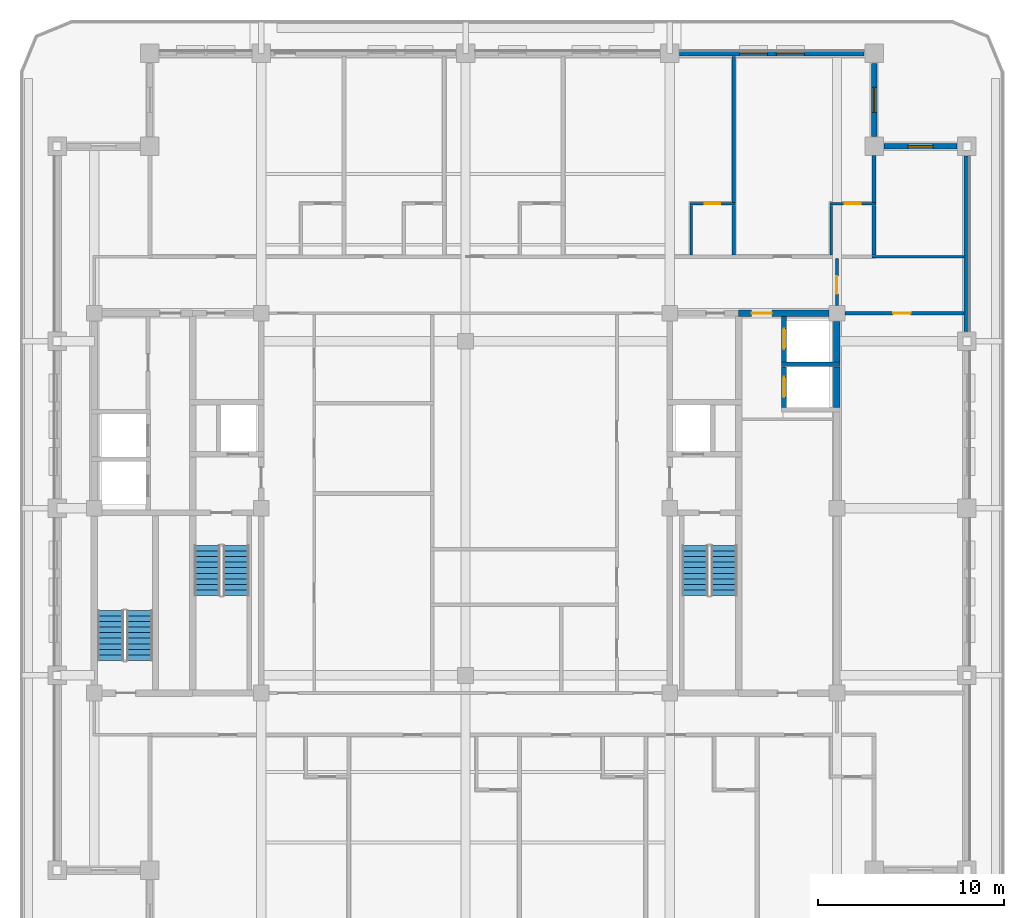
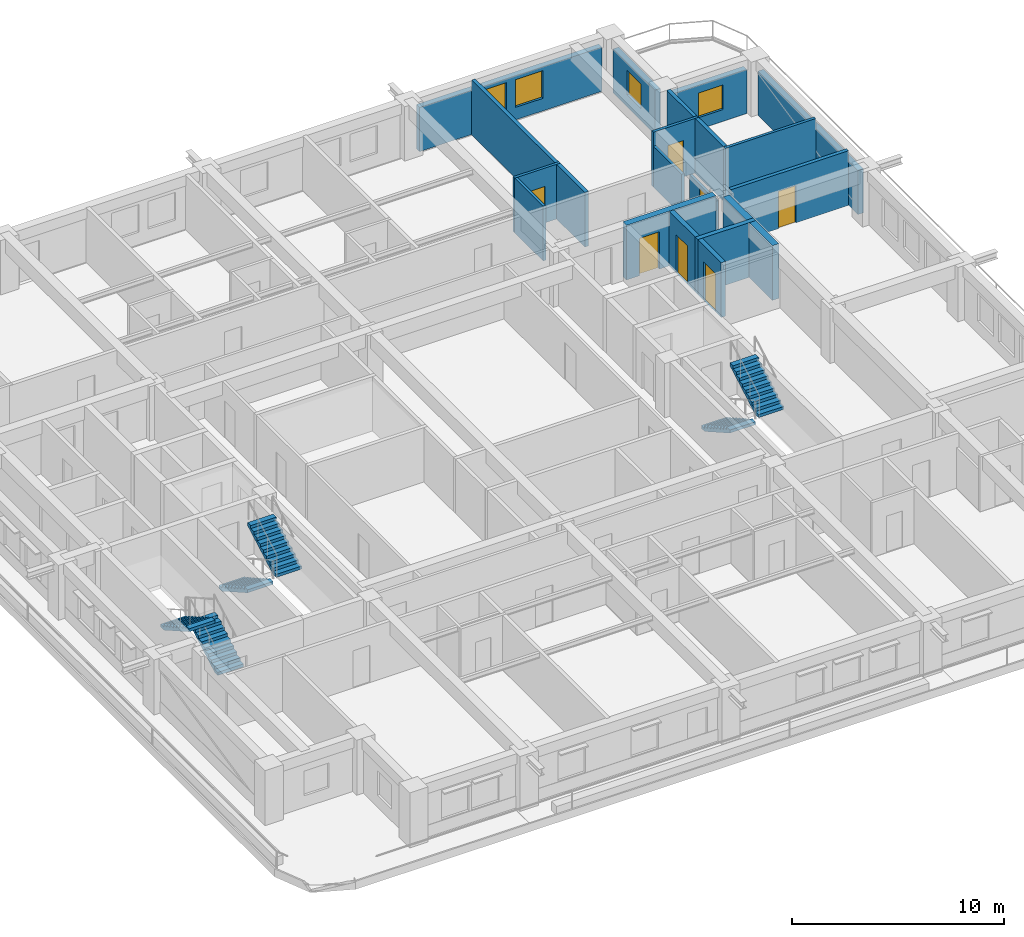
# One storey, part 7 of 14: 21 walls, 7 doors, 6 stair flights, 4 windows, 11 openings, 3 elements without a shape of their own.
"""IFC4 building model written with IfcOpenShell, lengths in metres."""

from ifc_helpers import new_model, si_unit, direction, frame, frame_2d, origin, place, context, subcontext, project, spatial, polyline, rectangle, outline, extrude, material, layer, layer_set, type_object, element, fill, aggregate, save


model = new_model("IFC4")

# Units and contexts
model_context = context("Model", 3, precision=1e-05, world=origin(), true_north=direction((0.0, 1.0)))
body_context = subcontext(model_context, "Body", "Model", "MODEL_VIEW")
ifc_project = project(units=[si_unit("LENGTHUNIT", "METRE"), si_unit("AREAUNIT", "SQUARE_METRE"), si_unit("VOLUMEUNIT", "CUBIC_METRE"), si_unit("PLANEANGLEUNIT", "RADIAN"), si_unit("MASSUNIT", "GRAM", prefix="KILO")], contexts=[model_context])

# Site, building, storey
site_placement = place(None, origin())
site = spatial("IfcSite", under=ifc_project, at=site_placement, CompositionType="ELEMENT")
building_placement = place(site_placement, origin())
building = spatial("IfcBuilding", under=site, at=building_placement, Name="Zulmaris Gate Convention Tower", CompositionType="ELEMENT")
storey_placement = place(building_placement, frame((0.0, 0.0, 179.659912109375)))
storey = spatial("IfcBuildingStorey", under=building, at=storey_placement, Name="L46", CompositionType="ELEMENT", Elevation=179.659912109375)

# Wall
ifc_material_1 = material(Name="Concrete C50/60", Category="concrete")
ifc_layer_1 = layer(ifc_material_1, 0.25, Name="Concrete C50/60")
ifc_layer_set_1 = layer_set([ifc_layer_1], Name="Concrete C50/60")
wall_type_1 = type_object("IfcWallType", Name="CORE-250", PredefinedType="SOLIDWALL", material=ifc_layer_set_1)
wall_1_placement = place(storey_placement, frame((17.02490234375, 7.75, 0.0), z_axis=(0.0, 0.0, 1.0), x_axis=(1.0, 0.0, 0.0)))
element("IfcWall", 1, at=wall_1_placement, inside=storey, type_object=wall_type_1, Name="WL-L46-014", PredefinedType="SOLIDWALL", context=body_context, shape_type="SweptSolid", body=[
    extrude(rectangle(XDim=3.150146484375, YDim=0.25, at=frame_2d((1.5751953125, 0.0))), origin(), (0.0, 0.0, 1.0), 3.14990234375),
])

# Wall, opening, door
wall_2_placement = place(storey_placement, frame((17.14990234375, 5.427001953125, 0.0), z_axis=(0.0, 0.0, 1.0), x_axis=(0.0, 1.0, 0.0)))
wall_2 = element("IfcWall", 2, at=wall_2_placement, inside=storey, type_object=wall_type_1, Name="WL-L46-070", PredefinedType="SOLIDWALL", context=body_context, shape_type="SweptSolid", body=[
    extrude(rectangle(XDim=2.196044921875, YDim=0.25, at=frame_2d((1.09814453125, 0.0))), origin(), (0.0, 0.0, 1.0), 3.14990234375),
])
opening_1_placement = place(wall_2_placement, frame((0.548095703125, 0.0, 0.0)))
opening_1 = element("IfcOpeningElement", 3, at=opening_1_placement, cuts=wall_2, Name="Opening D-06", PredefinedType="OPENING", context=body_context, shape_type="SweptSolid", body=[
    extrude(rectangle(XDim=1.10009765625, YDim=2.199951171875, at=frame_2d((0.550048828125, 1.10009765625))), frame((0.0, 0.135009765625, 0.0), z_axis=(0.0, -1.0, 0.0), x_axis=(1.0, 0.0, 0.0)), (0.0, 0.0, 1.0), 0.27001953125),
])
ifc_material_2 = material(Name="Brushed Stainless Steel", Category="steel")
door_type_1 = type_object("IfcDoorType", Name="LD-1100", OperationType="NOTDEFINED", PredefinedType="DOOR", material=ifc_material_2)
door_1_placement = place(opening_1_placement, origin())
door_1 = element("IfcDoor", 4, at=door_1_placement, inside=storey, type_object=door_type_1, Name="L46 Lift Landing Door HP-01 14", OperationType="SLIDING_TO_RIGHT", OverallHeight=2.199951171875, OverallWidth=1.10009765625, PredefinedType="DOOR", context=body_context, shape_type="SweptSolid", body=[
    extrude(rectangle(XDim=1.10009765625, YDim=2.199951171875, at=frame_2d((0.550048828125, 1.10009765625))), frame((0.0, 0.02490234375, 0.0), z_axis=(0.0, -1.0, 0.0), x_axis=(1.0, 0.0, 0.0)), (0.0, 0.0, 1.0), 0.050048828125),
])
fill(opening_1, door_1)

wall_3_placement = place(storey_placement, frame((17.14990234375, 7.876953125, 0.0), z_axis=(0.0, 0.0, 1.0), x_axis=(0.0, 1.0, 0.0)))
wall_3 = element("IfcWall", 5, at=wall_3_placement, inside=storey, type_object=wall_type_1, Name="WL-L46-071", PredefinedType="SOLIDWALL", context=body_context, shape_type="SweptSolid", body=[
    extrude(rectangle(XDim=2.446044921875, YDim=0.25, at=frame_2d((1.22314453125, 0.0))), origin(), (0.0, 0.0, 1.0), 3.14990234375),
])
opening_2_placement = place(wall_3_placement, frame((0.697998046875, 0.0, 0.0)))
opening_2 = element("IfcOpeningElement", 6, at=opening_2_placement, cuts=wall_3, Name="Opening D-06", PredefinedType="OPENING", context=body_context, shape_type="SweptSolid", body=[
    extrude(rectangle(XDim=1.10009765625, YDim=2.199951171875, at=frame_2d((0.550048828125, 1.10009765625))), frame((0.0, 0.135009765625, 0.0), z_axis=(0.0, -1.0, 0.0), x_axis=(1.0, 0.0, 0.0)), (0.0, 0.0, 1.0), 0.27001953125),
])
door_2_placement = place(opening_2_placement, origin())
door_2 = element("IfcDoor", 7, at=door_2_placement, inside=storey, type_object=door_type_1, Name="L46 Lift Landing Door HP-02 15", OperationType="SLIDING_TO_RIGHT", OverallHeight=2.199951171875, OverallWidth=1.10009765625, PredefinedType="DOOR", context=body_context, shape_type="SweptSolid", body=[
    extrude(rectangle(XDim=1.10009765625, YDim=2.199951171875, at=frame_2d((0.550048828125, 1.10009765625))), frame((0.0, 0.02490234375, 0.0), z_axis=(0.0, -1.0, 0.0), x_axis=(1.0, 0.0, 0.0)), (0.0, 0.0, 1.0), 0.050048828125),
])
fill(opening_2, door_2)

ifc_material_3 = material(Name="Concrete C55/67", Category="concrete")
ifc_layer_2 = layer(ifc_material_3, 0.35009765625, Name="Concrete C55/67")
ifc_layer_set_2 = layer_set([ifc_layer_2], Name="Concrete C55/67")
wall_type_2 = type_object("IfcWallType", Name="CORE-350", PredefinedType="SHEAR", material=ifc_layer_set_2)
wall_4_placement = place(storey_placement, frame((14.699951171875, 10.5, 0.0), z_axis=(0.0, 0.0, 1.0), x_axis=(1.0, 0.0, 0.0)))
wall_4 = element("IfcWall", 8, at=wall_4_placement, inside=storey, type_object=wall_type_2, Name="WL-L46-018", PredefinedType="SHEAR", context=body_context, shape_type="SweptSolid", body=[
    extrude(rectangle(XDim=4.87109375, YDim=0.35009765625, at=frame_2d((2.435546875, 0.0))), origin(), (0.0, 0.0, 1.0), 3.14990234375),
])
opening_3_placement = place(wall_4_placement, frame((0.699951171875, 0.0, 0.0)))
opening_3 = element("IfcOpeningElement", 9, at=opening_3_placement, cuts=wall_4, Name="Opening D-08", PredefinedType="OPENING", context=body_context, shape_type="SweptSolid", body=[
    extrude(rectangle(XDim=1.10009765625, YDim=2.14990234375, at=frame_2d((0.550048828125, 1.074951171875))), frame((0.0, 0.18505859375, 0.0), z_axis=(0.0, -1.0, 0.0), x_axis=(1.0, 0.0, 0.0)), (0.0, 0.0, 1.0), 0.3701171875),
])
ifc_material_4 = material(Name="Fire-Rated Steel", Category="steel")
door_type_2 = type_object("IfcDoorType", Name="DR-1100-FD", OperationType="NOTDEFINED", PredefinedType="DOOR", material=ifc_material_4)
door_3_placement = place(opening_3_placement, origin())
door_3 = element("IfcDoor", 10, at=door_3_placement, inside=storey, type_object=door_type_2, Name="L46 High-Rise East Lift Lobby Door 16", OperationType="SINGLE_SWING_LEFT", OverallHeight=2.14990234375, OverallWidth=1.10009765625, PredefinedType="DOOR", context=body_context, shape_type="SweptSolid", body=[
    extrude(rectangle(XDim=1.10009765625, YDim=2.14990234375, at=frame_2d((0.550048828125, 1.074951171875))), frame((0.0, 0.02490234375, 0.0), z_axis=(0.0, -1.0, 0.0), x_axis=(1.0, 0.0, 0.0)), (0.0, 0.0, 1.0), 0.050048828125),
])
fill(opening_3, door_3)

# Walls
wall_5_placement = place(storey_placement, frame((20.0, 5.427001953125, 0.0), z_axis=(0.0, 0.0, 1.0), x_axis=(0.0, 1.0, 0.0)))
element("IfcWall", 11, at=wall_5_placement, inside=storey, type_object=wall_type_2, Name="WL-L46-073", PredefinedType="SHEAR", context=body_context, shape_type="SweptSolid", body=[
    extrude(rectangle(XDim=2.196044921875, YDim=0.35009765625, at=frame_2d((1.09814453125, 0.0))), origin(), (0.0, 0.0, 1.0), 3.14990234375),
])
wall_6_placement = place(storey_placement, frame((20.0, 7.876953125, 0.0), z_axis=(0.0, 0.0, 1.0), x_axis=(0.0, 1.0, 0.0)))
element("IfcWall", 12, at=wall_6_placement, inside=storey, type_object=wall_type_2, Name="WL-L46-074", PredefinedType="SHEAR", context=body_context, shape_type="SweptSolid", body=[
    extrude(rectangle(XDim=2.194091796875, YDim=0.35009765625, at=frame_2d((1.09716796875, 0.0))), origin(), (0.0, 0.0, 1.0), 3.14990234375),
])
ifc_material_5 = material(Name="Gypsum Metal Stud Partition")
ifc_layer_3 = layer(ifc_material_5, 0.14990234375, Name="Gypsum Metal Stud Partition")
ifc_layer_set_3 = layer_set([ifc_layer_3], Name="Gypsum Metal Stud Partition")
wall_type_3 = type_object("IfcWallType", Name="PART-150", PredefinedType="PARTITIONING", material=ifc_layer_set_3)
wall_7_placement = place(storey_placement, frame((21.89990234375, 13.550048828125, 0.0), z_axis=(0.0, 0.0, 1.0), x_axis=(1.0, 0.0, 0.0)))
element("IfcWall", 13, at=wall_7_placement, inside=storey, type_object=wall_type_3, Name="WL-L46-037", PredefinedType="PARTITIONING", context=body_context, shape_type="SweptSolid", body=[
    extrude(rectangle(XDim=4.93505859375, YDim=0.14990234375, at=frame_2d((2.467529296875, 0.0))), origin(), (0.0, 0.0, 1.0), 3.14990234375),
])

# Wall, opening, door
wall_8_placement = place(storey_placement, frame((12.074951171875, 16.39990234375, 0.0), z_axis=(0.0, 0.0, 1.0), x_axis=(1.0, 0.0, 0.0)))
wall_8 = element("IfcWall", 14, at=wall_8_placement, inside=storey, type_object=wall_type_3, Name="WL-L46-041", PredefinedType="PARTITIONING", context=body_context, shape_type="SweptSolid", body=[
    extrude(rectangle(XDim=2.47509765625, YDim=0.14990234375, at=frame_2d((1.237548828125, 0.0))), origin(), (0.0, 0.0, 1.0), 3.14990234375),
])
opening_4_placement = place(wall_8_placement, frame((0.800048828125, 0.0, 0.0)))
opening_4 = element("IfcOpeningElement", 15, at=opening_4_placement, cuts=wall_8, Name="Opening D-17", PredefinedType="OPENING", context=body_context, shape_type="SweptSolid", body=[
    extrude(rectangle(XDim=0.85009765625, YDim=2.10009765625, at=frame_2d((0.425048828125, 1.050048828125))), frame((0.0, 0.0849609375, 0.0), z_axis=(0.0, -1.0, 0.0), x_axis=(1.0, 0.0, 0.0)), (0.0, 0.0, 1.0), 0.169921875),
])
ifc_material_6 = material(Name="Moisture-Resistant Hardwood Timber", Category="wood")
door_type_3 = type_object("IfcDoorType", Name="DR-850", OperationType="NOTDEFINED", PredefinedType="DOOR", material=ifc_material_6)
door_4_placement = place(opening_4_placement, origin())
door_4 = element("IfcDoor", 16, at=door_4_placement, inside=storey, type_object=door_type_3, Name="L46 En-Suite Door 29", OperationType="SINGLE_SWING_RIGHT", OverallHeight=2.10009765625, OverallWidth=0.85009765625, PredefinedType="DOOR", context=body_context, shape_type="SweptSolid", body=[
    extrude(rectangle(XDim=0.85009765625, YDim=2.10009765625, at=frame_2d((0.425048828125, 1.050048828125))), frame((0.0, 0.02490234375, 0.0), z_axis=(0.0, -1.0, 0.0), x_axis=(1.0, 0.0, 0.0)), (0.0, 0.0, 1.0), 0.050048828125),
])
fill(opening_4, door_4)

wall_9_placement = place(storey_placement, frame((19.625, 16.39990234375, 0.0), z_axis=(0.0, 0.0, 1.0), x_axis=(1.0, 0.0, 0.0)))
wall_9 = element("IfcWall", 17, at=wall_9_placement, inside=storey, type_object=wall_type_3, Name="WL-L46-042", PredefinedType="PARTITIONING", context=body_context, shape_type="SweptSolid", body=[
    extrude(rectangle(XDim=2.47509765625, YDim=0.14990234375, at=frame_2d((1.237548828125, 0.0))), origin(), (0.0, 0.0, 1.0), 3.14990234375),
])
opening_5_placement = place(wall_9_placement, frame((0.800048828125, 0.0, 0.0)))
opening_5 = element("IfcOpeningElement", 18, at=opening_5_placement, cuts=wall_9, Name="Opening D-17", PredefinedType="OPENING", context=body_context, shape_type="SweptSolid", body=[
    extrude(rectangle(XDim=0.85009765625, YDim=2.10009765625, at=frame_2d((0.425048828125, 1.050048828125))), frame((0.0, 0.0849609375, 0.0), z_axis=(0.0, -1.0, 0.0), x_axis=(1.0, 0.0, 0.0)), (0.0, 0.0, 1.0), 0.169921875),
])
door_5_placement = place(opening_5_placement, origin())
door_5 = element("IfcDoor", 19, at=door_5_placement, inside=storey, type_object=door_type_3, Name="L46 En-Suite Door 31", OperationType="SINGLE_SWING_RIGHT", OverallHeight=2.10009765625, OverallWidth=0.85009765625, PredefinedType="DOOR", context=body_context, shape_type="SweptSolid", body=[
    extrude(rectangle(XDim=0.85009765625, YDim=2.10009765625, at=frame_2d((0.425048828125, 1.050048828125))), frame((0.0, 0.02490234375, 0.0), z_axis=(0.0, -1.0, 0.0), x_axis=(1.0, 0.0, 0.0)), (0.0, 0.0, 1.0), 0.050048828125),
])
fill(opening_5, door_5)

# Walls
wall_10_placement = place(storey_placement, frame((12.14990234375, 13.653076171875, 0.0), z_axis=(0.0, 0.0, 1.0), x_axis=(0.0, 1.0, 0.0)))
element("IfcWall", 20, at=wall_10_placement, inside=storey, type_object=wall_type_3, Name="WL-L46-110", PredefinedType="PARTITIONING", context=body_context, shape_type="SweptSolid", body=[
    extrude(rectangle(XDim=2.6689453125, YDim=0.14990234375, at=frame_2d((1.33447265625, 0.0))), origin(), (0.0, 0.0, 1.0), 3.14990234375),
])
wall_11_placement = place(storey_placement, frame((19.699951171875, 13.653076171875, 0.0), z_axis=(0.0, 0.0, 1.0), x_axis=(0.0, 1.0, 0.0)))
element("IfcWall", 21, at=wall_11_placement, inside=storey, type_object=wall_type_3, Name="WL-L46-117", PredefinedType="PARTITIONING", context=body_context, shape_type="SweptSolid", body=[
    extrude(rectangle(XDim=2.6689453125, YDim=0.14990234375, at=frame_2d((1.33447265625, 0.0))), origin(), (0.0, 0.0, 1.0), 2.341796875),
])

# Wall, opening, door
wall_12_placement = place(storey_placement, frame((20.0, 10.930908203125, 0.0), z_axis=(0.0, 0.0, 1.0), x_axis=(0.0, 1.0, 0.0)))
wall_12 = element("IfcWall", 22, at=wall_12_placement, inside=storey, type_object=wall_type_3, Name="WL-L46-119", PredefinedType="PARTITIONING", context=body_context, shape_type="SweptSolid", body=[
    extrude(rectangle(XDim=2.51611328125, YDim=0.14990234375, at=frame_2d((1.258056640625, 0.0))), origin(), (0.0, 0.0, 1.0), 2.341796875),
])
opening_6_placement = place(wall_12_placement, frame((0.6240234375, 0.0, 0.0)))
opening_6 = element("IfcOpeningElement", 23, at=opening_6_placement, cuts=wall_12, Name="Opening D-11", PredefinedType="OPENING", context=body_context, shape_type="SweptSolid", body=[
    extrude(rectangle(XDim=0.949951171875, YDim=2.14990234375, at=frame_2d((0.47509765625, 1.074951171875))), frame((0.0, 0.0849609375, 0.0), z_axis=(0.0, -1.0, 0.0), x_axis=(1.0, 0.0, 0.0)), (0.0, 0.0, 1.0), 0.169921875),
])
ifc_material_7 = material(Name="Fire-Rated Timber", Category="wood")
door_type_4 = type_object("IfcDoorType", Name="DR-950-FD", OperationType="NOTDEFINED", PredefinedType="DOOR", material=ifc_material_7)
door_6_placement = place(opening_6_placement, origin())
door_6 = element("IfcDoor", 24, at=door_6_placement, inside=storey, type_object=door_type_4, Name="L46 East Spur Door 49", OperationType="SINGLE_SWING_RIGHT", OverallHeight=2.14990234375, OverallWidth=0.949951171875, PredefinedType="DOOR", context=body_context, shape_type="SweptSolid", body=[
    extrude(rectangle(XDim=0.949951171875, YDim=2.14990234375, at=frame_2d((0.47509765625, 1.074951171875))), frame((0.0, 0.02490234375, 0.0), z_axis=(0.0, -1.0, 0.0), x_axis=(1.0, 0.0, 0.0)), (0.0, 0.0, 1.0), 0.050048828125),
])
fill(opening_6, door_6)

ifc_material_8 = material(Name="Autoclaved Aerated Concrete Block and Plasterboard", Category="concrete")
ifc_layer_4 = layer(ifc_material_8, 0.199951171875, Name="Autoclaved Aerated Concrete Block and Plasterboard")
ifc_layer_set_4 = layer_set([ifc_layer_4], Name="Autoclaved Aerated Concrete Block and Plasterboard")
wall_type_4 = type_object("IfcWallType", Name="PART-200", PredefinedType="PARTITIONING", material=ifc_layer_set_4)
wall_13_placement = place(storey_placement, frame((20.430908203125, 10.5, 0.0), z_axis=(0.0, 0.0, 1.0), x_axis=(1.0, 0.0, 0.0)))
wall_13 = element("IfcWall", 25, at=wall_13_placement, inside=storey, type_object=wall_type_4, Name="WL-L46-034", PredefinedType="PARTITIONING", context=body_context, shape_type="SweptSolid", body=[
    extrude(rectangle(XDim=6.404052734375, YDim=0.199951171875, at=frame_2d((3.2021484375, 0.0))), origin(), (0.0, 0.0, 1.0), 3.14990234375),
])
opening_7_placement = place(wall_13_placement, frame((2.593994140625, 0.0, 0.0)))
opening_7 = element("IfcOpeningElement", 26, at=opening_7_placement, cuts=wall_13, Name="Opening D-11", PredefinedType="OPENING", context=body_context, shape_type="SweptSolid", body=[
    extrude(rectangle(XDim=0.949951171875, YDim=2.14990234375, at=frame_2d((0.47509765625, 1.074951171875))), frame((0.0, 0.10986328125, 0.0), z_axis=(0.0, -1.0, 0.0), x_axis=(1.0, 0.0, 0.0)), (0.0, 0.0, 1.0), 0.219970703125),
])
door_7_placement = place(opening_7_placement, origin())
door_7 = element("IfcDoor", 27, at=door_7_placement, inside=storey, type_object=door_type_4, Name="L46 East Lounge Door 50", OperationType="SINGLE_SWING_LEFT", OverallHeight=2.14990234375, OverallWidth=0.949951171875, PredefinedType="DOOR", context=body_context, shape_type="SweptSolid", body=[
    extrude(rectangle(XDim=0.949951171875, YDim=2.14990234375, at=frame_2d((0.47509765625, 1.074951171875))), frame((0.0, 0.02490234375, 0.0), z_axis=(0.0, -1.0, 0.0), x_axis=(1.0, 0.0, 0.0)), (0.0, 0.0, 1.0), 0.050048828125),
])
fill(opening_7, door_7)

# Walls
wall_14_placement = place(storey_placement, frame((14.449951171875, 13.653076171875, 0.0), z_axis=(0.0, 0.0, 1.0), x_axis=(0.0, 1.0, 0.0)))
element("IfcWall", 28, at=wall_14_placement, inside=storey, type_object=wall_type_4, Name="WL-L46-112", PredefinedType="PARTITIONING", context=body_context, shape_type="SweptSolid", body=[
    extrude(rectangle(XDim=2.6689453125, YDim=0.199951171875, at=frame_2d((1.33447265625, 0.0))), origin(), (0.0, 0.0, 1.0), 3.14990234375),
])
wall_15_placement = place(storey_placement, frame((14.449951171875, 16.47802734375, 0.0), z_axis=(0.0, 0.0, 1.0), x_axis=(0.0, 1.0, 0.0)))
element("IfcWall", 29, at=wall_15_placement, inside=storey, type_object=wall_type_4, Name="WL-L46-113", PredefinedType="PARTITIONING", context=body_context, shape_type="SweptSolid", body=[
    extrude(rectangle(XDim=7.85693359375, YDim=0.199951171875, at=frame_2d((3.928466796875, 0.0))), origin(), (0.0, 0.0, 1.0), 3.14990234375),
])
wall_16_placement = place(storey_placement, frame((22.0, 13.653076171875, 0.0), z_axis=(0.0, 0.0, 1.0), x_axis=(0.0, 1.0, 0.0)))
element("IfcWall", 30, at=wall_16_placement, inside=storey, type_object=wall_type_4, Name="WL-L46-122", PredefinedType="PARTITIONING", context=body_context, shape_type="SweptSolid", body=[
    extrude(rectangle(XDim=2.6689453125, YDim=0.199951171875, at=frame_2d((1.33447265625, 0.0))), origin(), (0.0, 0.0, 1.0), 3.14990234375),
])
wall_17_placement = place(storey_placement, frame((22.0, 16.47802734375, 0.0), z_axis=(0.0, 0.0, 1.0), x_axis=(0.0, 1.0, 0.0)))
element("IfcWall", 31, at=wall_17_placement, inside=storey, type_object=wall_type_4, Name="WL-L46-123", PredefinedType="PARTITIONING", context=body_context, shape_type="SweptSolid", body=[
    extrude(rectangle(XDim=2.515869140625, YDim=0.199951171875, at=frame_2d((1.2578125, 0.0))), origin(), (0.0, 0.0, 1.0), 3.14990234375),
])

# Wall, opening, window
ifc_material_9 = material(Name="Precast concrete C40/50", Category="concrete")
ifc_layer_5 = layer(ifc_material_9, 0.300048828125, Name="Precast concrete C40/50")
ifc_layer_set_5 = layer_set([ifc_layer_5], Name="Precast concrete C40/50")
wall_type_5 = type_object("IfcWallType", Name="PRECAST-PIER-300", PredefinedType="STANDARD", material=ifc_layer_set_5)
wall_18_placement = place(storey_placement, frame((26.469970703125, 19.5, 0.0), z_axis=(0.0, 0.0, 1.0), x_axis=(-1.0, 0.0, 0.0)))
wall_18 = element("IfcWall", 32, at=wall_18_placement, inside=storey, type_object=wall_type_5, Name="EW-L46-NOTCH-NE1_0", PredefinedType="STANDARD", context=body_context, shape_type="SweptSolid", body=[
    extrude(rectangle(XDim=3.93994140625, YDim=0.300048828125, at=frame_2d((1.969970703125, 0.0))), origin(), (0.0, 0.0, 1.0), 2.5419921875),
])
opening_8_placement = place(wall_18_placement, frame((1.294921875, 0.0, 0.679931640625)))
opening_8 = element("IfcOpeningElement", 33, at=opening_8_placement, cuts=wall_18, Name="Opening W-10", PredefinedType="OPENING", context=body_context, shape_type="SweptSolid", body=[
    extrude(rectangle(XDim=1.35009765625, YDim=1.419921875, at=frame_2d((0.675048828125, 0.7099609375))), frame((0.0, 0.16015625, 0.0), z_axis=(0.0, -1.0, 0.0), x_axis=(1.0, 0.0, 0.0)), (0.0, 0.0, 1.0), 0.320068359375),
])
ifc_material_10 = material(Name="Low-E Laminated Double Glazing in Aluminium Frame", Category="aluminium")
window_type_1 = type_object("IfcWindowType", Name="WIN-1350x2000", PartitioningType="SINGLE_PANEL", PredefinedType="WINDOW", material=ifc_material_10)
window_1_placement = place(opening_8_placement, origin())
window_1 = element("IfcWindow", 34, at=window_1_placement, inside=storey, type_object=window_type_1, Name="WN-EW-L46-NOTCH-NE1_0", OverallHeight=1.419921875, OverallWidth=1.35009765625, PartitioningType="SINGLE_PANEL", PredefinedType="WINDOW", context=body_context, shape_type="SweptSolid", body=[
    extrude(rectangle(XDim=1.35009765625, YDim=1.419921875, at=frame_2d((0.675048828125, 0.7099609375))), frame((0.0, 0.030029296875, 0.0), z_axis=(0.0, -1.0, 0.0), x_axis=(1.0, 0.0, 0.0)), (0.0, 0.0, 1.0), 0.06005859375),
])
fill(opening_8, window_1)

wall_19_placement = place(storey_placement, frame((22.0, 20.030029296875, 0.0), z_axis=(0.0, 0.0, 1.0), x_axis=(0.0, 1.0, 0.0)))
wall_19 = element("IfcWall", 35, at=wall_19_placement, inside=storey, type_object=wall_type_5, Name="EW-L46-NOTCH-NE2_0", PredefinedType="STANDARD", context=body_context, shape_type="SweptSolid", body=[
    extrude(rectangle(XDim=3.93994140625, YDim=0.300048828125, at=frame_2d((1.969970703125, 0.0))), origin(), (0.0, 0.0, 1.0), 2.5419921875),
])
opening_9_placement = place(wall_19_placement, frame((1.294921875, 0.0, 0.679931640625)))
opening_9 = element("IfcOpeningElement", 36, at=opening_9_placement, cuts=wall_19, Name="Opening W-10", PredefinedType="OPENING", context=body_context, shape_type="SweptSolid", body=[
    extrude(rectangle(XDim=1.35009765625, YDim=1.419921875, at=frame_2d((0.675048828125, 0.7099609375))), frame((0.0, 0.16015625, 0.0), z_axis=(0.0, -1.0, 0.0), x_axis=(1.0, 0.0, 0.0)), (0.0, 0.0, 1.0), 0.320068359375),
])
window_2_placement = place(opening_9_placement, origin())
window_2 = element("IfcWindow", 37, at=window_2_placement, inside=storey, type_object=window_type_1, Name="WN-EW-L46-NOTCH-NE2_0", OverallHeight=1.419921875, OverallWidth=1.35009765625, PartitioningType="SINGLE_PANEL", PredefinedType="WINDOW", context=body_context, shape_type="SweptSolid", body=[
    extrude(rectangle(XDim=1.35009765625, YDim=1.419921875, at=frame_2d((0.675048828125, 0.7099609375))), frame((0.0, 0.030029296875, 0.0), z_axis=(0.0, -1.0, 0.0), x_axis=(1.0, 0.0, 0.0)), (0.0, 0.0, 1.0), 0.06005859375),
])
fill(opening_9, window_2)

# Wall, openings, windows
wall_20_placement = place(storey_placement, frame((21.469970703125, 24.5, 0.0), z_axis=(0.0, 0.0, 1.0), x_axis=(-1.0, 0.0, 0.0)))
wall_20 = element("IfcWall", 38, at=wall_20_placement, inside=storey, type_object=wall_type_5, Name="EW-L46-N-3_0", PredefinedType="STANDARD", context=body_context, shape_type="SweptSolid", body=[
    extrude(rectangle(XDim=9.93994140625, YDim=0.300048828125, at=frame_2d((4.969970703125, 0.0))), origin(), (0.0, 0.0, 1.0), 2.5419921875),
])
opening_10_placement = place(wall_20_placement, frame((3.22607421875, 0.0, 0.719970703125)))
opening_10 = element("IfcOpeningElement", 39, at=opening_10_placement, cuts=wall_20, Name="Opening W-03", PredefinedType="OPENING", context=body_context, shape_type="SweptSolid", body=[
    extrude(rectangle(XDim=1.5, YDim=1.60009765625, at=frame_2d((0.75, 0.800048828125))), frame((0.0, 0.16015625, 0.0), z_axis=(0.0, -1.0, 0.0), x_axis=(1.0, 0.0, 0.0)), (0.0, 0.0, 1.0), 0.320068359375),
])
opening_11_placement = place(wall_20_placement, frame((5.214111328125, 0.0, 0.719970703125)))
opening_11 = element("IfcOpeningElement", 40, at=opening_11_placement, cuts=wall_20, Name="Opening W-03", PredefinedType="OPENING", context=body_context, shape_type="SweptSolid", body=[
    extrude(rectangle(XDim=1.5, YDim=1.60009765625, at=frame_2d((0.75, 0.800048828125))), frame((0.0, 0.16015625, 0.0), z_axis=(0.0, -1.0, 0.0), x_axis=(1.0, 0.0, 0.0)), (0.0, 0.0, 1.0), 0.320068359375),
])
window_type_2 = type_object("IfcWindowType", Name="WIN-1500x2100", PartitioningType="SINGLE_PANEL", PredefinedType="WINDOW", material=ifc_material_10)
window_3_placement = place(opening_10_placement, origin())
window_3 = element("IfcWindow", 41, at=window_3_placement, inside=storey, type_object=window_type_2, Name="WN-EW-L46-N-3_0-2", OverallHeight=1.60009765625, OverallWidth=1.5, PartitioningType="SINGLE_PANEL", PredefinedType="WINDOW", context=body_context, shape_type="SweptSolid", body=[
    extrude(rectangle(XDim=1.5, YDim=1.60009765625, at=frame_2d((0.75, 0.800048828125))), frame((0.0, 0.030029296875, 0.0), z_axis=(0.0, -1.0, 0.0), x_axis=(1.0, 0.0, 0.0)), (0.0, 0.0, 1.0), 0.06005859375),
])
fill(opening_10, window_3)
window_4_placement = place(opening_11_placement, origin())
window_4 = element("IfcWindow", 42, at=window_4_placement, inside=storey, type_object=window_type_2, Name="WN-EW-L46-N-3_0-3", OverallHeight=1.60009765625, OverallWidth=1.5, PartitioningType="SINGLE_PANEL", PredefinedType="WINDOW", context=body_context, shape_type="SweptSolid", body=[
    extrude(rectangle(XDim=1.5, YDim=1.60009765625, at=frame_2d((0.75, 0.800048828125))), frame((0.0, 0.030029296875, 0.0), z_axis=(0.0, -1.0, 0.0), x_axis=(1.0, 0.0, 0.0)), (0.0, 0.0, 1.0), 0.06005859375),
])
fill(opening_11, window_4)

# Wall
wall_21_placement = place(storey_placement, frame((27.0, 9.530029296875, 0.0), z_axis=(0.0, 0.0, 1.0), x_axis=(0.0, 1.0, 0.0)))
element("IfcWall", 43, at=wall_21_placement, inside=storey, type_object=wall_type_5, Name="EW-L46-E-3_0", PredefinedType="STANDARD", context=body_context, shape_type="SweptSolid", body=[
    extrude(rectangle(XDim=9.43994140625, YDim=0.300048828125, at=frame_2d((4.719970703125, 0.0))), origin(), (0.0, 0.0, 1.0), 2.5419921875),
])

# Stair, stair flights
ifc_material_11 = material(Name="Concrete C45/55", Category="concrete")
stair_type = type_object("IfcStairType", Name="ST-CORE-DOGLEG", PredefinedType="HALF_TURN_STAIR", material=ifc_material_11)
stair_1_placement = place(storey_placement, origin())
stair_1 = element("IfcStair", 44, at=stair_1_placement, inside=storey, type_object=stair_type, Name="L46 Core Exit Stair ST-1", PredefinedType="HALF_TURN_STAIR")
ifc_layer_6 = layer(ifc_material_11, 0.14990234375, Name="Concrete C45/55")
ifc_layer_set_6 = layer_set([ifc_layer_6], Name="Concrete C45/55")
stair_flight_type = type_object("IfcStairFlightType", Name="STF-RC150", PredefinedType="STRAIGHT", material=ifc_layer_set_6)
stair_flight_1_placement = place(storey_placement, frame((-13.919921875, -2.0, 0.0), z_axis=(0.0, 0.0, 1.0), x_axis=(0.0, -1.0, 0.0)))
stair_flight_1 = element("IfcStairFlight", 45, at=stair_flight_1_placement, type_object=stair_flight_type, Name="ST-1 flight 1", NumberOfRisers=10, NumberOfTreads=9, PredefinedType="STRAIGHT", RiserHeight=0.169995, TreadLength=0.3, context=body_context, shape_type="SweptSolid", body=[
    extrude(outline(polyline([(0.0, 0.0), (0.0, 0.169921875), (0.300048828125, 0.169921875), (0.300048828125, 0.340087890625), (0.60009765625, 0.340087890625), (0.60009765625, 0.510009765625), (0.89990234375, 0.510009765625), (0.89990234375, 0.679931640625), (1.199951171875, 0.679931640625), (1.199951171875, 0.849853515625), (1.5, 0.849853515625), (1.5, 1.02001953125), (1.800048828125, 1.02001953125), (1.800048828125, 1.18994140625), (2.10009765625, 1.18994140625), (2.10009765625, 1.35986328125), (2.39990234375, 1.35986328125), (2.39990234375, 1.530029296875), (2.699951171875, 1.530029296875), (2.699951171875, 1.699951171875), (2.699951171875, 1.357666015625), (0.303955078125, 0.0), (0.0, 0.0)])), frame((0.0, 0.699951171875, 0.0), z_axis=(0.0, -1.0, 0.0), x_axis=(1.0, 0.0, 0.0)), (0.0, 0.0, 1.0), 1.39990234375),
])
stair_flight_2_placement = place(storey_placement, frame((-12.360107421875, -4.699951171875, 1.699951171875), z_axis=(0.0, 0.0, 1.0), x_axis=(0.0, 1.0, 0.0)))
stair_flight_2 = element("IfcStairFlight", 46, at=stair_flight_2_placement, type_object=stair_flight_type, Name="ST-1 flight 2", NumberOfRisers=10, NumberOfTreads=9, PredefinedType="STRAIGHT", RiserHeight=0.169995, TreadLength=0.3, context=body_context, shape_type="SweptSolid", body=[
    extrude(outline(polyline([(0.0, 0.0), (0.0, 0.169921875), (0.300048828125, 0.169921875), (0.300048828125, 0.340087890625), (0.60009765625, 0.340087890625), (0.60009765625, 0.510009765625), (0.89990234375, 0.510009765625), (0.89990234375, 0.679931640625), (1.199951171875, 0.679931640625), (1.199951171875, 0.849853515625), (1.5, 0.849853515625), (1.5, 1.02001953125), (1.800048828125, 1.02001953125), (1.800048828125, 1.18994140625), (2.10009765625, 1.18994140625), (2.10009765625, 1.35986328125), (2.39990234375, 1.35986328125), (2.39990234375, 1.530029296875), (2.699951171875, 1.530029296875), (2.699951171875, 1.699951171875), (2.699951171875, 1.357666015625), (0.303955078125, 0.0), (0.0, 0.0)])), frame((0.0, 0.699951171875, 0.0), z_axis=(0.0, -1.0, 0.0), x_axis=(1.0, 0.0, 0.0)), (0.0, 0.0, 1.0), 1.39990234375),
])
aggregate(stair_1, [stair_flight_1, stair_flight_2])

stair_2_placement = place(storey_placement, origin())
stair_2 = element("IfcStair", 47, at=stair_2_placement, inside=storey, type_object=stair_type, Name="L46 Core Exit Stair ST-2", PredefinedType="HALF_TURN_STAIR")
stair_flight_3_placement = place(storey_placement, frame((12.360107421875, -2.0, 0.0), z_axis=(0.0, 0.0, 1.0), x_axis=(0.0, -1.0, 0.0)))
stair_flight_3 = element("IfcStairFlight", 48, at=stair_flight_3_placement, type_object=stair_flight_type, Name="ST-2 flight 1", NumberOfRisers=10, NumberOfTreads=9, PredefinedType="STRAIGHT", RiserHeight=0.169995, TreadLength=0.3, context=body_context, shape_type="SweptSolid", body=[
    extrude(outline(polyline([(0.0, 0.0), (0.0, 0.169921875), (0.300048828125, 0.169921875), (0.300048828125, 0.340087890625), (0.60009765625, 0.340087890625), (0.60009765625, 0.510009765625), (0.89990234375, 0.510009765625), (0.89990234375, 0.679931640625), (1.199951171875, 0.679931640625), (1.199951171875, 0.849853515625), (1.5, 0.849853515625), (1.5, 1.02001953125), (1.800048828125, 1.02001953125), (1.800048828125, 1.18994140625), (2.10009765625, 1.18994140625), (2.10009765625, 1.35986328125), (2.39990234375, 1.35986328125), (2.39990234375, 1.530029296875), (2.699951171875, 1.530029296875), (2.699951171875, 1.699951171875), (2.699951171875, 1.357666015625), (0.303955078125, 0.0), (0.0, 0.0)])), frame((0.0, 0.699951171875, 0.0), z_axis=(0.0, -1.0, 0.0), x_axis=(1.0, 0.0, 0.0)), (0.0, 0.0, 1.0), 1.39990234375),
])
stair_flight_4_placement = place(storey_placement, frame((13.919921875, -4.699951171875, 1.699951171875), z_axis=(0.0, 0.0, 1.0), x_axis=(0.0, 1.0, 0.0)))
stair_flight_4 = element("IfcStairFlight", 49, at=stair_flight_4_placement, type_object=stair_flight_type, Name="ST-2 flight 2", NumberOfRisers=10, NumberOfTreads=9, PredefinedType="STRAIGHT", RiserHeight=0.169995, TreadLength=0.3, context=body_context, shape_type="SweptSolid", body=[
    extrude(outline(polyline([(0.0, 0.0), (0.0, 0.169921875), (0.300048828125, 0.169921875), (0.300048828125, 0.340087890625), (0.60009765625, 0.340087890625), (0.60009765625, 0.510009765625), (0.89990234375, 0.510009765625), (0.89990234375, 0.679931640625), (1.199951171875, 0.679931640625), (1.199951171875, 0.849853515625), (1.5, 0.849853515625), (1.5, 1.02001953125), (1.800048828125, 1.02001953125), (1.800048828125, 1.18994140625), (2.10009765625, 1.18994140625), (2.10009765625, 1.35986328125), (2.39990234375, 1.35986328125), (2.39990234375, 1.530029296875), (2.699951171875, 1.530029296875), (2.699951171875, 1.699951171875), (2.699951171875, 1.357666015625), (0.303955078125, 0.0), (0.0, 0.0)])), frame((0.0, 0.699951171875, 0.0), z_axis=(0.0, -1.0, 0.0), x_axis=(1.0, 0.0, 0.0)), (0.0, 0.0, 1.0), 1.39990234375),
])
aggregate(stair_2, [stair_flight_3, stair_flight_4])

stair_3_placement = place(storey_placement, origin())
stair_3 = element("IfcStair", 50, at=stair_3_placement, inside=storey, type_object=stair_type, Name="L46 Core Exit Stair ST-3", PredefinedType="HALF_TURN_STAIR")
stair_flight_5_placement = place(storey_placement, frame((-17.56005859375, -8.199951171875, 0.0), z_axis=(0.0, 0.0, 1.0), x_axis=(0.0, 1.0, 0.0)))
stair_flight_5 = element("IfcStairFlight", 51, at=stair_flight_5_placement, type_object=stair_flight_type, Name="ST-3 flight 1", NumberOfRisers=10, NumberOfTreads=9, PredefinedType="STRAIGHT", RiserHeight=0.169995, TreadLength=0.3, context=body_context, shape_type="SweptSolid", body=[
    extrude(outline(polyline([(0.0, 0.0), (0.0, 0.169921875), (0.300048828125, 0.169921875), (0.300048828125, 0.340087890625), (0.60009765625, 0.340087890625), (0.60009765625, 0.510009765625), (0.89990234375, 0.510009765625), (0.89990234375, 0.679931640625), (1.199951171875, 0.679931640625), (1.199951171875, 0.849853515625), (1.5, 0.849853515625), (1.5, 1.02001953125), (1.800048828125, 1.02001953125), (1.800048828125, 1.18994140625), (2.10009765625, 1.18994140625), (2.10009765625, 1.35986328125), (2.39990234375, 1.35986328125), (2.39990234375, 1.530029296875), (2.699951171875, 1.530029296875), (2.699951171875, 1.699951171875), (2.699951171875, 1.357666015625), (0.303955078125, 0.0), (0.0, 0.0)])), frame((0.0, 0.699951171875, 0.0), z_axis=(0.0, -1.0, 0.0), x_axis=(1.0, 0.0, 0.0)), (0.0, 0.0, 1.0), 1.39990234375),
])
stair_flight_6_placement = place(storey_placement, frame((-19.1201171875, -5.5, 1.699951171875), z_axis=(0.0, 0.0, 1.0), x_axis=(0.0, -1.0, 0.0)))
stair_flight_6 = element("IfcStairFlight", 52, at=stair_flight_6_placement, type_object=stair_flight_type, Name="ST-3 flight 2", NumberOfRisers=10, NumberOfTreads=9, PredefinedType="STRAIGHT", RiserHeight=0.169995, TreadLength=0.3, context=body_context, shape_type="SweptSolid", body=[
    extrude(outline(polyline([(0.0, 0.0), (0.0, 0.169921875), (0.300048828125, 0.169921875), (0.300048828125, 0.340087890625), (0.60009765625, 0.340087890625), (0.60009765625, 0.510009765625), (0.89990234375, 0.510009765625), (0.89990234375, 0.679931640625), (1.199951171875, 0.679931640625), (1.199951171875, 0.849853515625), (1.5, 0.849853515625), (1.5, 1.02001953125), (1.800048828125, 1.02001953125), (1.800048828125, 1.18994140625), (2.10009765625, 1.18994140625), (2.10009765625, 1.35986328125), (2.39990234375, 1.35986328125), (2.39990234375, 1.530029296875), (2.699951171875, 1.530029296875), (2.699951171875, 1.699951171875), (2.699951171875, 1.357666015625), (0.303955078125, 0.0), (0.0, 0.0)])), frame((0.0, 0.699951171875, 0.0), z_axis=(0.0, -1.0, 0.0), x_axis=(1.0, 0.0, 0.0)), (0.0, 0.0, 1.0), 1.39990234375),
])
aggregate(stair_3, [stair_flight_5, stair_flight_6])

save(model, "model.ifc")
